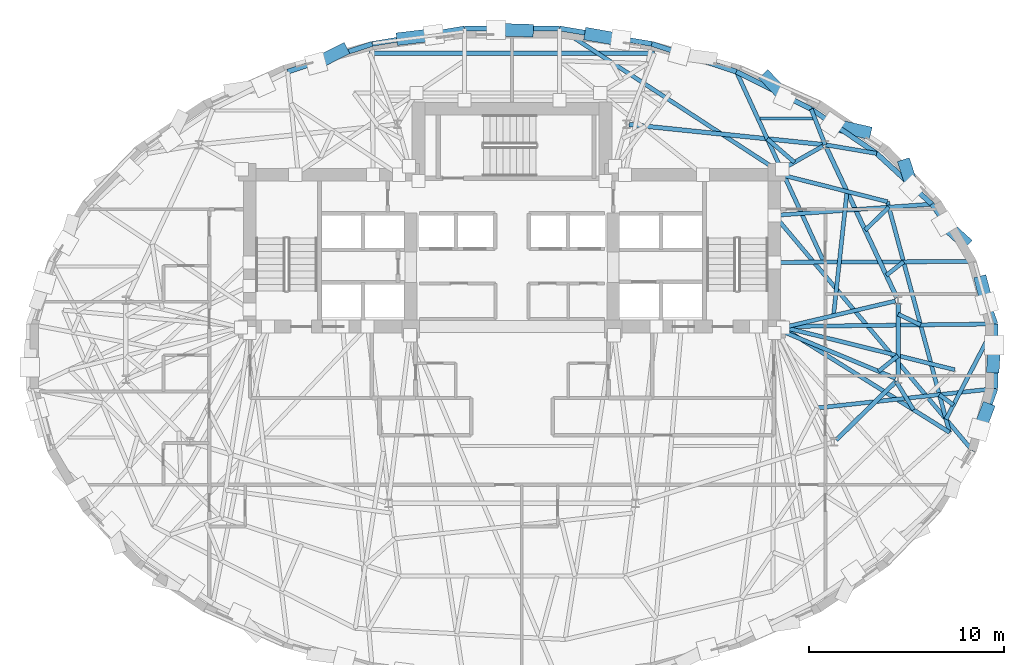
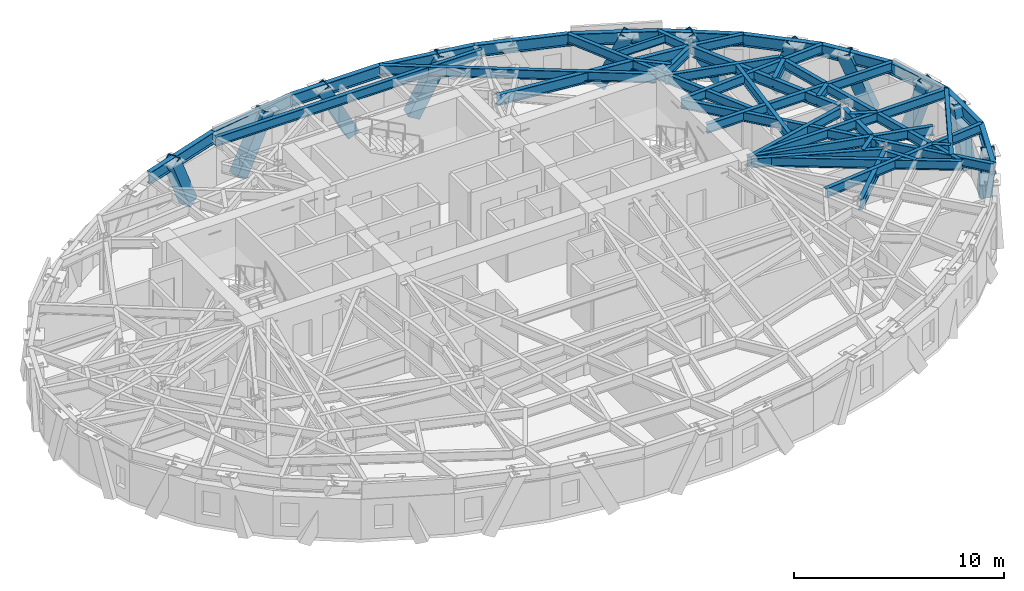
# One storey, part 4 of 14: 43 beams, 11 members.
"""IFC4 building model written with IfcOpenShell, lengths in metres."""

from ifc_helpers import new_model, si_unit, direction, frame, origin, origin_2d, place, context, subcontext, project, spatial, hollow_rectangle, i_section, extrude, material, material_profile, profile_set, type_object, element, save


model = new_model("IFC4")

# Units and contexts
model_context = context("Model", 3, precision=1e-05, world=origin(), true_north=direction((0.0, 1.0)))
body_context = subcontext(model_context, "Body", "Model", "MODEL_VIEW")
ifc_project = project(units=[si_unit("LENGTHUNIT", "METRE"), si_unit("AREAUNIT", "SQUARE_METRE"), si_unit("VOLUMEUNIT", "CUBIC_METRE"), si_unit("PLANEANGLEUNIT", "RADIAN"), si_unit("MASSUNIT", "GRAM", prefix="KILO")], contexts=[model_context])

# Site, building, storey
site_placement = place(None, origin())
site = spatial("IfcSite", under=ifc_project, at=site_placement, CompositionType="ELEMENT")
building_placement = place(site_placement, origin())
building = spatial("IfcBuilding", under=site, at=building_placement, Name="Keldmark Tower", CompositionType="ELEMENT")
storey_placement = place(building_placement, frame((0.0, 0.0, 169.39990234375)))
storey = spatial("IfcBuildingStorey", under=building, at=storey_placement, Name="L46", CompositionType="ELEMENT", Elevation=169.39990234375)

# Beam
ifc_material_1 = material(Name="Steel ASTM A992 Grade 50", Category="steel")
ifc_material_profile_1 = material_profile(ifc_material_1, i_section(OverallWidth=0.153076171875, OverallDepth=0.455078125, WebThickness=0.008056640625, FlangeThickness=0.01318359375, at=origin_2d()), Name="W18X40")
ifc_profile_set_1 = profile_set([ifc_material_profile_1], Name="Steel ASTM A992 Grade 50")
beam_type_1 = type_object("IfcBeamType", Name="Composite Floor Joist W18X40", PredefinedType="JOIST", material=ifc_profile_set_1)
beam_1_placement = place(storey_placement, frame((12.740478515625, 12.199951171875, 2.79248046875), z_axis=(1.0, 0.0, 0.0), x_axis=(0.0, 1.0, 0.0)))
element("IfcBeam", 1, at=beam_1_placement, inside=storey, type_object=beam_type_1, Name="L46 Composite Floor Joist J07", PredefinedType="JOIST", context=body_context, shape_type="SweptSolid", body=[
    extrude(i_section(OverallWidth=0.153076171875, OverallDepth=0.455078125, WebThickness=0.008056640625, FlangeThickness=0.01318359375, at=origin_2d()), origin(), (0.0, 0.0, 1.0), 2.71533203125),
])

# Members
ifc_material_2 = material(Name="Steel ASTM A572 Grade 50", Category="steel")
ifc_material_profile_2 = material_profile(ifc_material_2, hollow_rectangle(XDim=0.64990234375, YDim=0.64990234375, WallThickness=0.0400390625, at=origin_2d()), Name="BOX650X650X40")
ifc_profile_set_2 = profile_set([ifc_material_profile_2], Name="Steel ASTM A572 Grade 50")
member_type = type_object("IfcMemberType", Name="Diagrid Zone 3 Brace BOX650X650X40", PredefinedType="BRACE", material=ifc_profile_set_2)
member_1_placement = place(storey_placement, frame((24.10009765625, 3.815673828125, -0.260009765625), z_axis=(0.084672709517, -0.32596083449, 0.941583807551), x_axis=(0.967878242214, 0.251419387176, 0.0)))
element("IfcMember", 2, at=member_1_placement, inside=storey, type_object=member_type, Name="L46 Perimeter Diagrid Brace 01A", PredefinedType="BRACE", context=body_context, shape_type="SweptSolid", body=[
    extrude(hollow_rectangle(XDim=0.64990234375, YDim=0.64990234375, WallThickness=0.0400390625, at=origin_2d()), origin(), (0.0, 0.0, 1.0), 3.356201171875),
])
member_2_placement = place(storey_placement, frame((23.19287109375, 5.91455078125, -0.260009765625), z_axis=(-0.288196247163, 0.261796047732, 0.921089437847), x_axis=(-0.67239074194, -0.740196386207, 0.0)))
element("IfcMember", 3, at=member_2_placement, inside=storey, type_object=member_type, Name="L46 Perimeter Diagrid Brace 01B", PredefinedType="BRACE", context=body_context, shape_type="SweptSolid", body=[
    extrude(hollow_rectangle(XDim=0.64990234375, YDim=0.64990234375, WallThickness=0.0400390625, at=origin_2d()), origin(), (0.0, 0.0, 1.0), 3.430908203125),
])
member_3_placement = place(storey_placement, frame((20.192626953125, 9.8095703125, -0.260009765625), z_axis=(0.108959859918, -0.341878686878, 0.933405974046), x_axis=(0.952780507636, 0.303659849618, 0.0)))
element("IfcMember", 4, at=member_3_placement, inside=storey, type_object=member_type, Name="L46 Perimeter Diagrid Brace 02A", PredefinedType="BRACE", context=body_context, shape_type="SweptSolid", body=[
    extrude(hollow_rectangle(XDim=0.64990234375, YDim=0.64990234375, WallThickness=0.0400390625, at=origin_2d()), origin(), (0.0, 0.0, 1.0), 3.385498046875),
])
member_4_placement = place(storey_placement, frame((18.14697265625, 11.510498046875, -0.260009765625), z_axis=(-0.472598454602, 0.106846583258, 0.874776833457), x_axis=(-0.220517727779, -0.975382966703, 0.0)))
element("IfcMember", 5, at=member_4_placement, inside=storey, type_object=member_type, Name="L46 Perimeter Diagrid Brace 02B", PredefinedType="BRACE", context=body_context, shape_type="SweptSolid", body=[
    extrude(hollow_rectangle(XDim=0.64990234375, YDim=0.64990234375, WallThickness=0.0400390625, at=origin_2d()), origin(), (0.0, 0.0, 1.0), 3.612548828125),
])
member_5_placement = place(storey_placement, frame((13.10791015625, 14.28466796875, -0.260009765625), z_axis=(0.272820277452, -0.289477270229, 0.917481338356), x_axis=(0.727734237971, 0.685859226726, 0.0)))
element("IfcMember", 6, at=member_5_placement, inside=storey, type_object=member_type, Name="L46 Perimeter Diagrid Brace 03A", PredefinedType="BRACE", context=body_context, shape_type="SweptSolid", body=[
    extrude(hollow_rectangle(XDim=0.64990234375, YDim=0.64990234375, WallThickness=0.0400390625, at=origin_2d()), origin(), (0.0, 0.0, 1.0), 3.4443359375),
])
member_6_placement = place(storey_placement, frame((4.02099609375, 16.525390625, -0.260009765625), z_axis=(0.441922403437, -0.078083774143, 0.893648428385), x_axis=(0.173995960046, 0.984746366273, 0.0)))
element("IfcMember", 7, at=member_6_placement, inside=storey, type_object=member_type, Name="L46 Perimeter Diagrid Brace 04A", PredefinedType="BRACE", context=body_context, shape_type="SweptSolid", body=[
    extrude(hollow_rectangle(XDim=0.64990234375, YDim=0.64990234375, WallThickness=0.0400390625, at=origin_2d()), origin(), (0.0, 0.0, 1.0), 3.5361328125),
])
member_7_placement = place(storey_placement, frame((0.80712890625, 16.728515625, -0.260009765625), z_axis=(-0.458019972848, 0.012978377042, 0.888847155703), x_axis=(-0.028324463235, -0.999598781903, 0.0)))
element("IfcMember", 8, at=member_7_placement, inside=storey, type_object=member_type, Name="L46 Perimeter Diagrid Brace 04B", PredefinedType="BRACE", context=body_context, shape_type="SweptSolid", body=[
    extrude(hollow_rectangle(XDim=0.64990234375, YDim=0.64990234375, WallThickness=0.0400390625, at=origin_2d()), origin(), (0.0, 0.0, 1.0), 3.555419921875),
])
member_8_placement = place(storey_placement, frame((-5.6318359375, 16.3173828125, -0.260009765625), z_axis=(0.454228727365, 0.054408522697, 0.889222118424), x_axis=(-0.11893204744, 0.992902396055, 0.0)))
element("IfcMember", 9, at=member_8_placement, inside=storey, type_object=member_type, Name="L46 Perimeter Diagrid Brace 05A", PredefinedType="BRACE", context=body_context, shape_type="SweptSolid", body=[
    extrude(hollow_rectangle(XDim=0.64990234375, YDim=0.64990234375, WallThickness=0.0400390625, at=origin_2d()), origin(), (0.0, 0.0, 1.0), 3.553955078125),
])
member_9_placement = place(storey_placement, frame((-8.7333984375, 15.703125, -0.260009765625), z_axis=(-0.379419536926, -0.191807554329, 0.905124674894), x_axis=(0.451156655293, -0.892444772737, 0.0)))
element("IfcMember", 10, at=member_9_placement, inside=storey, type_object=member_type, Name="L46 Perimeter Diagrid Brace 05B", PredefinedType="BRACE", context=body_context, shape_type="SweptSolid", body=[
    extrude(hollow_rectangle(XDim=0.64990234375, YDim=0.64990234375, WallThickness=0.0400390625, at=origin_2d()), origin(), (0.0, 0.0, 1.0), 3.491455078125),
])
member_10_placement = place(storey_placement, frame((24.405517578125, -2.72021484375, -0.260009765625), z_axis=(-0.121565559508, -0.315474259992, 0.941115192749), x_axis=(0.933118171682, -0.3595698509, 0.0)))
element("IfcMember", 11, at=member_10_placement, inside=storey, type_object=member_type, Name="L46 Perimeter Diagrid Brace 16A", PredefinedType="BRACE", context=body_context, shape_type="SweptSolid", body=[
    extrude(hollow_rectangle(XDim=0.64990234375, YDim=0.64990234375, WallThickness=0.0400390625, at=origin_2d()), origin(), (0.0, 0.0, 1.0), 3.35791015625),
])
member_11_placement = place(storey_placement, frame((24.706298828125, -0.54541015625, -0.260009765625), z_axis=(0.020052637089, 0.329738272431, 0.943859398131), x_axis=(-0.998155954241, 0.060701655775, 0.0)))
element("IfcMember", 12, at=member_11_placement, inside=storey, type_object=member_type, Name="L46 Perimeter Diagrid Brace 16B", PredefinedType="BRACE", context=body_context, shape_type="SweptSolid", body=[
    extrude(hollow_rectangle(XDim=0.64990234375, YDim=0.64990234375, WallThickness=0.0400390625, at=origin_2d()), origin(), (0.0, 0.0, 1.0), 3.34814453125),
])

# Beams
ifc_material_3 = material(Name="Steel ASTM A992 Grade 50", Category="steel")
ifc_material_profile_3 = material_profile(ifc_material_3, i_section(OverallWidth=0.22900390625, OverallDepth=0.612060546875, WebThickness=0.011962890625, FlangeThickness=0.01953125, at=origin_2d()), Name="W24X84")
ifc_profile_set_3 = profile_set([ifc_material_profile_3], Name="Steel ASTM A992 Grade 50")
beam_type_2 = type_object("IfcBeamType", Name="Primary Floor Girder W24X84", PredefinedType="BEAM", material=ifc_profile_set_3)
beam_2_placement = place(storey_placement, frame((19.76904296875, 2.99609375, 2.714111328125), z_axis=(-0.424526823774, 0.905415360979, 0.0), x_axis=(-0.905415360979, -0.424526823774, 0.0)))
element("IfcBeam", 13, at=beam_2_placement, inside=storey, type_object=beam_type_2, Name="L46 Floor Ring Girder FG-R01", PredefinedType="BEAM", context=body_context, shape_type="SweptSolid", body=[
    extrude(i_section(OverallWidth=0.22900390625, OverallDepth=0.612060546875, WebThickness=0.011962890625, FlangeThickness=0.01953125, at=origin_2d()), origin(), (0.0, 0.0, 1.0), 8.54638671875),
])
beam_3_placement = place(storey_placement, frame((15.942138671875, 10.87548828125, 2.714111328125), z_axis=(-0.994702930931, 0.102791435423, 0.0), x_axis=(-0.102791435423, -0.994702930931, 0.0)))
element("IfcBeam", 14, at=beam_3_placement, inside=storey, type_object=beam_type_2, Name="L46 Floor Ring Girder FG-R02", PredefinedType="BEAM", context=body_context, shape_type="SweptSolid", body=[
    extrude(i_section(OverallWidth=0.22900390625, OverallDepth=0.612060546875, WebThickness=0.011962890625, FlangeThickness=0.01953125, at=origin_2d()), origin(), (0.0, 0.0, 1.0), 9.975341796875),
])
beam_4_placement = place(storey_placement, frame((16.646728515625, -4.300537109375, 2.714111328125), z_axis=(0.714964509815, 0.699160746684, 0.0), x_axis=(-0.699160746684, 0.714964509815, 0.0)))
element("IfcBeam", 15, at=beam_4_placement, inside=storey, type_object=beam_type_2, Name="L46 Floor Ring Girder FG-R11", PredefinedType="BEAM", context=body_context, shape_type="SweptSolid", body=[
    extrude(i_section(OverallWidth=0.22900390625, OverallDepth=0.612060546875, WebThickness=0.011962890625, FlangeThickness=0.01953125, at=origin_2d()), origin(), (0.0, 0.0, 1.0), 4.31005859375),
])
beam_5_placement = place(storey_placement, frame((19.828369140625, -1.04931640625, 2.714111328125), z_axis=(0.0, 1.0, 0.0), x_axis=(-1.0, 0.0, 0.0)))
element("IfcBeam", 16, at=beam_5_placement, inside=storey, type_object=beam_type_2, Name="L46 Floor Ring Girder FG-R12", PredefinedType="BEAM", context=body_context, shape_type="SweptSolid", body=[
    extrude(i_section(OverallWidth=0.22900390625, OverallDepth=0.612060546875, WebThickness=0.011962890625, FlangeThickness=0.01953125, at=origin_2d()), origin(), (0.0, 0.0, 1.0), 3.778564453125),
])
ifc_material_4 = material(Name="Steel ASTM A992 Grade 50", Category="steel")
ifc_material_profile_4 = material_profile(ifc_material_4, i_section(OverallWidth=0.2099609375, OverallDepth=0.537109375, WebThickness=0.010986328125, FlangeThickness=0.017333984375, at=origin_2d()), Name="W21X68")
ifc_profile_set_4 = profile_set([ifc_material_profile_4], Name="Steel ASTM A992 Grade 50")
beam_type_3 = type_object("IfcBeamType", Name="Radial Tie Girder W21X68", PredefinedType="BEAM", material=ifc_profile_set_4)
beam_6_placement = place(storey_placement, frame((19.692138671875, 2.837158203125, 2.751708984375), z_axis=(-0.973280062348, -0.229621253887, 0.0), x_axis=(0.229621253887, -0.973280062348, 0.0)))
element("IfcBeam", 17, at=beam_6_placement, inside=storey, type_object=beam_type_3, Name="L46 Floor Radial Girder FG-C01", PredefinedType="BEAM", context=body_context, shape_type="SweptSolid", body=[
    extrude(i_section(OverallWidth=0.2099609375, OverallDepth=0.537109375, WebThickness=0.010986328125, FlangeThickness=0.017333984375, at=origin_2d()), origin(), (0.0, 0.0, 1.0), 5.939208984375),
])
beam_7_placement = place(storey_placement, frame((15.959716796875, 10.791748046875, 2.751708984375), z_axis=(-0.86929527307, -0.494293160197, 0.0), x_axis=(0.494293160197, -0.86929527307, 0.0)))
element("IfcBeam", 18, at=beam_7_placement, inside=storey, type_object=beam_type_3, Name="L46 Floor Radial Girder FG-C02", PredefinedType="BEAM", context=body_context, shape_type="SweptSolid", body=[
    extrude(i_section(OverallWidth=0.2099609375, OverallDepth=0.537109375, WebThickness=0.010986328125, FlangeThickness=0.017333984375, at=origin_2d()), origin(), (0.0, 0.0, 1.0), 2.39453125),
])
beam_8_placement = place(storey_placement, frame((19.69921875, -1.135498046875, 2.751708984375), z_axis=(-0.923393794893, 0.383854008124, 0.0), x_axis=(-0.383854008124, -0.923393794893, 0.0)))
element("IfcBeam", 19, at=beam_8_placement, inside=storey, type_object=beam_type_3, Name="L46 Floor Radial Girder FG-C12", PredefinedType="BEAM", context=body_context, shape_type="SweptSolid", body=[
    extrude(i_section(OverallWidth=0.2099609375, OverallDepth=0.537109375, WebThickness=0.010986328125, FlangeThickness=0.017333984375, at=origin_2d()), origin(), (0.0, 0.0, 1.0), 6.28515625),
])
beam_9_placement = place(storey_placement, frame((18.82861328125, -0.773681640625, 2.751708984375), z_axis=(0.779659979742, 0.626203094841, 0.0), x_axis=(-0.626203094841, 0.779659979742, 0.0)))
element("IfcBeam", 20, at=beam_9_placement, inside=storey, type_object=beam_type_3, Name="L46 Framing Pin Header PH-008", PredefinedType="BEAM", context=body_context, shape_type="SweptSolid", body=[
    extrude(i_section(OverallWidth=0.2099609375, OverallDepth=0.537109375, WebThickness=0.010986328125, FlangeThickness=0.017333984375, at=origin_2d()), origin(), (0.0, 0.0, 1.0), 1.2822265625),
])
beam_10_placement = place(storey_placement, frame((13.800048828125, 1.52490234375, 2.751708984375), z_axis=(0.970574721471, -0.240800145436, 0.0), x_axis=(0.240800145436, 0.970574721471, 0.0)))
element("IfcBeam", 21, at=beam_10_placement, inside=storey, type_object=beam_type_3, Name="L46 Sub-Ring Step Girder STP1-M12", PredefinedType="BEAM", context=body_context, shape_type="SweptSolid", body=[
    extrude(i_section(OverallWidth=0.2099609375, OverallDepth=0.537109375, WebThickness=0.010986328125, FlangeThickness=0.017333984375, at=origin_2d()), origin(), (0.0, 0.0, 1.0), 9.203857421875),
])
beam_11_placement = place(storey_placement, frame((16.5126953125, 2.087158203125, 2.751708984375), z_axis=(0.108074720844, 0.994142773808, 0.0), x_axis=(-0.994142773808, 0.108074720844, 0.0)))
element("IfcBeam", 22, at=beam_11_placement, inside=storey, type_object=beam_type_3, Name="L46 Framing Pin Header PH-009", PredefinedType="BEAM", context=body_context, shape_type="SweptSolid", body=[
    extrude(i_section(OverallWidth=0.2099609375, OverallDepth=0.537109375, WebThickness=0.010986328125, FlangeThickness=0.017333984375, at=origin_2d()), origin(), (0.0, 0.0, 1.0), 6.413330078125),
])
beam_12_placement = place(storey_placement, frame((13.800048828125, 9.324951171875, 2.751708984375), z_axis=(0.969434584053, -0.245349928148, 0.0), x_axis=(0.245349928148, 0.969434584053, 0.0)))
element("IfcBeam", 23, at=beam_12_placement, inside=storey, type_object=beam_type_3, Name="L46 Sub-Ring Step Girder STP2-M01", PredefinedType="BEAM", context=body_context, shape_type="SweptSolid", body=[
    extrude(i_section(OverallWidth=0.2099609375, OverallDepth=0.537109375, WebThickness=0.010986328125, FlangeThickness=0.017333984375, at=origin_2d()), origin(), (0.0, 0.0, 1.0), 5.652099609375),
])
beam_13_placement = place(storey_placement, frame((19.728271484375, -1.287109375, 2.751708984375), z_axis=(0.52159979904, -0.853190277512, 0.0), x_axis=(0.853190277512, 0.52159979904, 0.0)))
element("IfcBeam", 24, at=beam_13_placement, inside=storey, type_object=beam_type_3, Name="L46 Framing Pin Header PH-015", PredefinedType="BEAM", context=body_context, shape_type="SweptSolid", body=[
    extrude(i_section(OverallWidth=0.2099609375, OverallDepth=0.537109375, WebThickness=0.010986328125, FlangeThickness=0.017333984375, at=origin_2d()), origin(), (0.0, 0.0, 1.0), 1.714111328125),
])
beam_14_placement = place(storey_placement, frame((13.800048828125, 1.52490234375, 2.751708984375), z_axis=(0.84741606795, -0.530929381161, 0.0), x_axis=(0.530929381161, 0.84741606795, 0.0)))
element("IfcBeam", 25, at=beam_14_placement, inside=storey, type_object=beam_type_3, Name="L46 Sub-Ring Step Girder STP2-M12", PredefinedType="BEAM", context=body_context, shape_type="SweptSolid", body=[
    extrude(i_section(OverallWidth=0.2099609375, OverallDepth=0.537109375, WebThickness=0.010986328125, FlangeThickness=0.017333984375, at=origin_2d()), origin(), (0.0, 0.0, 1.0), 10.232666015625),
])
beam_15_placement = place(storey_placement, frame((22.471435546875, -3.907958984375, 2.751708984375), z_axis=(-0.260184702828, 0.965558864293, 0.0), x_axis=(-0.965558864293, -0.260184702828, 0.0)))
element("IfcBeam", 26, at=beam_15_placement, inside=storey, type_object=beam_type_3, Name="L46 Perimeter Collector Ring Beam CRG2-M12", PredefinedType="BEAM", context=body_context, shape_type="SweptSolid", body=[
    extrude(i_section(OverallWidth=0.2099609375, OverallDepth=0.537109375, WebThickness=0.010986328125, FlangeThickness=0.017333984375, at=origin_2d()), origin(), (0.0, 0.0, 1.0), 12.268798828125),
])
beam_16_placement = place(storey_placement, frame((19.828369140625, 2.162353515625, 2.751708984375), z_axis=(0.902698286029, -0.430274103799, 0.0), x_axis=(0.430274103799, 0.902698286029, 0.0)))
element("IfcBeam", 27, at=beam_16_placement, inside=storey, type_object=beam_type_3, Name="L46 Framing Pin Header PH-016", PredefinedType="BEAM", context=body_context, shape_type="SweptSolid", body=[
    extrude(i_section(OverallWidth=0.2099609375, OverallDepth=0.537109375, WebThickness=0.010986328125, FlangeThickness=0.017333984375, at=origin_2d()), origin(), (0.0, 0.0, 1.0), 1.280029296875),
])
beam_17_placement = place(storey_placement, frame((13.800048828125, 1.52490234375, 2.751708984375), z_axis=(0.999927290272, 0.012058779722, 0.0), x_axis=(-0.012058779722, 0.999927290272, 0.0)))
element("IfcBeam", 28, at=beam_17_placement, inside=storey, type_object=beam_type_3, Name="L46 Perimeter Radial Tie Girder RT-01", PredefinedType="BEAM", context=body_context, shape_type="SweptSolid", body=[
    extrude(i_section(OverallWidth=0.2099609375, OverallDepth=0.537109375, WebThickness=0.010986328125, FlangeThickness=0.017333984375, at=origin_2d()), origin(), (0.0, 0.0, 1.0), 11.033935546875),
])
beam_18_placement = place(storey_placement, frame((19.224853515625, 4.15673828125, 2.751708984375), z_axis=(0.78728069367, 0.616594769175, 0.0), x_axis=(-0.616594769175, 0.78728069367, 0.0)))
element("IfcBeam", 29, at=beam_18_placement, inside=storey, type_object=beam_type_3, Name="L46 Framing Pin Header PH-017", PredefinedType="BEAM", context=body_context, shape_type="SweptSolid", body=[
    extrude(i_section(OverallWidth=0.2099609375, OverallDepth=0.537109375, WebThickness=0.010986328125, FlangeThickness=0.017333984375, at=origin_2d()), origin(), (0.0, 0.0, 1.0), 1.125732421875),
])
beam_19_placement = place(storey_placement, frame((13.47509765625, 4.8212890625, 2.751708984375), z_axis=(0.999990177949, 0.004432155796, 0.0), x_axis=(-0.004432155796, 0.999990177949, 0.0)))
element("IfcBeam", 30, at=beam_19_placement, inside=storey, type_object=beam_type_3, Name="L46 Perimeter Radial Tie Girder RT-02", PredefinedType="BEAM", context=body_context, shape_type="SweptSolid", body=[
    extrude(i_section(OverallWidth=0.2099609375, OverallDepth=0.537109375, WebThickness=0.010986328125, FlangeThickness=0.017333984375, at=origin_2d()), origin(), (0.0, 0.0, 1.0), 10.1904296875),
])
beam_20_placement = place(storey_placement, frame((18.136474609375, 6.478271484375, 2.751708984375), z_axis=(0.719602540541, 0.694386192004, 0.0), x_axis=(-0.694386192004, 0.719602540541, 0.0)))
element("IfcBeam", 31, at=beam_20_placement, inside=storey, type_object=beam_type_3, Name="L46 Framing Pin Header PH-018", PredefinedType="BEAM", context=body_context, shape_type="SweptSolid", body=[
    extrude(i_section(OverallWidth=0.2099609375, OverallDepth=0.537109375, WebThickness=0.010986328125, FlangeThickness=0.017333984375, at=origin_2d()), origin(), (0.0, 0.0, 1.0), 1.6943359375),
])
beam_21_placement = place(storey_placement, frame((13.47509765625, 7.235595703125, 2.751708984375), z_axis=(0.997467713487, 0.071120746279, 0.0), x_axis=(-0.071120746279, 0.997467713487, 0.0)))
element("IfcBeam", 32, at=beam_21_placement, inside=storey, type_object=beam_type_3, Name="L46 Perimeter Radial Tie Girder RT-03", PredefinedType="BEAM", context=body_context, shape_type="SweptSolid", body=[
    extrude(i_section(OverallWidth=0.2099609375, OverallDepth=0.537109375, WebThickness=0.010986328125, FlangeThickness=0.017333984375, at=origin_2d()), origin(), (0.0, 0.0, 1.0), 8.104736328125),
])
beam_22_placement = place(storey_placement, frame((16.08154296875, 10.861083984375, 2.751708984375), z_axis=(0.986191294506, -0.165610176742, 0.0), x_axis=(0.165610176742, 0.986191294506, 0.0)))
element("IfcBeam", 33, at=beam_22_placement, inside=storey, type_object=beam_type_3, Name="L46 Perimeter Column Bracket RT-04", PredefinedType="BEAM", context=body_context, shape_type="SweptSolid", body=[
    extrude(i_section(OverallWidth=0.2099609375, OverallDepth=0.537109375, WebThickness=0.010986328125, FlangeThickness=0.017333984375, at=origin_2d()), origin(), (0.0, 0.0, 1.0), 2.68017578125),
])
beam_23_placement = place(storey_placement, frame((16.08154296875, 10.861083984375, 2.751708984375), z_axis=(-0.363350663933, 0.931652453987, 0.0), x_axis=(-0.931652453987, -0.363350663933, 0.0)))
element("IfcBeam", 34, at=beam_23_placement, inside=storey, type_object=beam_type_3, Name="L46 Perimeter Column Bracket RT-05", PredefinedType="BEAM", context=body_context, shape_type="SweptSolid", body=[
    extrude(i_section(OverallWidth=0.2099609375, OverallDepth=0.537109375, WebThickness=0.010986328125, FlangeThickness=0.017333984375, at=origin_2d()), origin(), (0.0, 0.0, 1.0), 1.966796875),
])
beam_24_placement = place(storey_placement, frame((14.502685546875, 9.96337890625, 2.751708984375), z_axis=(-0.756527947674, 0.65396136307, 0.0), x_axis=(-0.65396136307, -0.756527947674, 0.0)))
element("IfcBeam", 35, at=beam_24_placement, inside=storey, type_object=beam_type_3, Name="L46 Framing Pin Header PH-019", PredefinedType="BEAM", context=body_context, shape_type="SweptSolid", body=[
    extrude(i_section(OverallWidth=0.2099609375, OverallDepth=0.537109375, WebThickness=0.010986328125, FlangeThickness=0.017333984375, at=origin_2d()), origin(), (0.0, 0.0, 1.0), 1.84228515625),
])
beam_25_placement = place(storey_placement, frame((16.022705078125, 4.832763671875, 2.751708984375), z_axis=(-0.417844223901, 0.908518686958, 0.0), x_axis=(-0.908518686958, -0.417844223901, 0.0)))
element("IfcBeam", 36, at=beam_25_placement, inside=storey, type_object=beam_type_3, Name="L46 Perimeter Radial Tie Girder RT-06", PredefinedType="BEAM", context=body_context, shape_type="SweptSolid", body=[
    extrude(i_section(OverallWidth=0.2099609375, OverallDepth=0.537109375, WebThickness=0.010986328125, FlangeThickness=0.017333984375, at=origin_2d()), origin(), (0.0, 0.0, 1.0), 10.767333984375),
])
beam_26_placement = place(storey_placement, frame((13.47509765625, 9.64990234375, 2.751708984375), z_axis=(-0.837912668902, 0.545804323264, 0.0), x_axis=(-0.545804323264, -0.837912668902, 0.0)))
element("IfcBeam", 37, at=beam_26_placement, inside=storey, type_object=beam_type_3, Name="L46 Perimeter Radial Tie Girder RT-08", PredefinedType="BEAM", context=body_context, shape_type="SweptSolid", body=[
    extrude(i_section(OverallWidth=0.2099609375, OverallDepth=0.537109375, WebThickness=0.010986328125, FlangeThickness=0.017333984375, at=origin_2d()), origin(), (0.0, 0.0, 1.0), 13.162841796875),
])
beam_27_placement = place(storey_placement, frame((24.833251953125, 1.657958984375, 2.751708984375), z_axis=(-0.461524262501, -0.887127586722, 0.0), x_axis=(0.887127586722, -0.461524262501, 0.0)))
element("IfcBeam", 38, at=beam_27_placement, inside=storey, type_object=beam_type_3, Name="L46 Framing Pin Header PH-043", PredefinedType="BEAM", context=body_context, shape_type="SweptSolid", body=[
    extrude(i_section(OverallWidth=0.2099609375, OverallDepth=0.537109375, WebThickness=0.010986328125, FlangeThickness=0.017333984375, at=origin_2d()), origin(), (0.0, 0.0, 1.0), 5.511962890625),
])
beam_28_placement = place(storey_placement, frame((13.47509765625, 7.235595703125, 2.751708984375), z_axis=(0.644107233484, -0.764935207566, 0.0), x_axis=(0.764935207566, 0.644107233484, 0.0)))
element("IfcBeam", 39, at=beam_28_placement, inside=storey, type_object=beam_type_3, Name="L46 Perimeter Radial Tie Girder RT-31", PredefinedType="BEAM", context=body_context, shape_type="SweptSolid", body=[
    extrude(i_section(OverallWidth=0.2099609375, OverallDepth=0.537109375, WebThickness=0.010986328125, FlangeThickness=0.017333984375, at=origin_2d()), origin(), (0.0, 0.0, 1.0), 15.821044921875),
])
beam_29_placement = place(storey_placement, frame((22.6708984375, -2.498291015625, 2.751708984375), z_axis=(-0.807871890479, 0.589358132695, 0.0), x_axis=(-0.589358132695, -0.807871890479, 0.0)))
element("IfcBeam", 40, at=beam_29_placement, inside=storey, type_object=beam_type_3, Name="L46 Framing Pin Header PH-044", PredefinedType="BEAM", context=body_context, shape_type="SweptSolid", body=[
    extrude(i_section(OverallWidth=0.2099609375, OverallDepth=0.537109375, WebThickness=0.010986328125, FlangeThickness=0.017333984375, at=origin_2d()), origin(), (0.0, 0.0, 1.0), 0.892822265625),
])
beam_30_placement = place(storey_placement, frame((15.661865234375, -2.6572265625, 2.751708984375), z_axis=(0.994116743572, 0.108313896381, 0.0), x_axis=(-0.108313896381, 0.994116743572, 0.0)))
element("IfcBeam", 41, at=beam_30_placement, inside=storey, type_object=beam_type_3, Name="L46 Perimeter Radial Tie Girder RT-32", PredefinedType="BEAM", context=body_context, shape_type="SweptSolid", body=[
    extrude(i_section(OverallWidth=0.2099609375, OverallDepth=0.537109375, WebThickness=0.010986328125, FlangeThickness=0.017333984375, at=origin_2d()), origin(), (0.0, 0.0, 1.0), 9.2255859375),
])
beam_31_placement = place(storey_placement, frame((-7.31884765625, 15.561767578125, 2.751708984375), z_axis=(1.0, 0.0, 0.0), x_axis=(0.0, 1.0, 0.0)))
element("IfcBeam", 42, at=beam_31_placement, inside=storey, type_object=beam_type_3, Name="L46 North Outer Header Girder FG-TCN-H1", PredefinedType="BEAM", context=body_context, shape_type="SweptSolid", body=[
    extrude(i_section(OverallWidth=0.2099609375, OverallDepth=0.537109375, WebThickness=0.010986328125, FlangeThickness=0.017333984375, at=origin_2d()), origin(), (0.0, 0.0, 1.0), 14.6376953125),
])
ifc_material_5 = material(Name="Steel ASTM A992 Grade 50", Category="steel")
ifc_material_profile_5 = material_profile(ifc_material_5, i_section(OverallWidth=0.256103515625, OverallDepth=0.693115234375, WebThickness=0.014404296875, FlangeThickness=0.023681640625, at=origin_2d()), Name="W27X114")
ifc_profile_set_5 = profile_set([ifc_material_profile_5], Name="Steel ASTM A992 Grade 50")
beam_type_4 = type_object("IfcBeamType", Name="Spandrel Ring Beam W27X114", PredefinedType="SPANDREL", material=ifc_profile_set_5)
beam_32_placement = place(storey_placement, frame((24.833251953125, 1.657958984375, 2.673583984375), z_axis=(-0.342001402358, 0.939699441729, 0.0), x_axis=(-0.939699441729, -0.342001402358, 0.0)))
element("IfcBeam", 43, at=beam_32_placement, inside=storey, type_object=beam_type_4, Name="L46 Perimeter Spandrel Ring Beam SRB-01", PredefinedType="SPANDREL", context=body_context, shape_type="SweptSolid", body=[
    extrude(i_section(OverallWidth=0.256103515625, OverallDepth=0.693115234375, WebThickness=0.014404296875, FlangeThickness=0.023681640625, at=origin_2d()), origin(), (0.0, 0.0, 1.0), 3.414306640625),
])
beam_33_placement = place(storey_placement, frame((23.66552734375, 4.866455078125, 2.673583984375), z_axis=(-0.581646294714, 0.813441815894, 0.0), x_axis=(-0.813441815894, -0.581646294714, 0.0)))
element("IfcBeam", 44, at=beam_33_placement, inside=storey, type_object=beam_type_4, Name="L46 Perimeter Spandrel Ring Beam SRB-02", PredefinedType="SPANDREL", context=body_context, shape_type="SweptSolid", body=[
    extrude(i_section(OverallWidth=0.256103515625, OverallDepth=0.693115234375, WebThickness=0.014404296875, FlangeThickness=0.023681640625, at=origin_2d()), origin(), (0.0, 0.0, 1.0), 3.62109375),
])
beam_34_placement = place(storey_placement, frame((21.559326171875, 7.81201171875, 2.673583984375), z_axis=(-0.736282263947, 0.676674536093, 0.0), x_axis=(-0.676674536093, -0.736282263947, 0.0)))
element("IfcBeam", 45, at=beam_34_placement, inside=storey, type_object=beam_type_4, Name="L46 Perimeter Spandrel Ring Beam SRB-03", PredefinedType="SPANDREL", context=body_context, shape_type="SweptSolid", body=[
    extrude(i_section(OverallWidth=0.256103515625, OverallDepth=0.693115234375, WebThickness=0.014404296875, FlangeThickness=0.023681640625, at=origin_2d()), origin(), (0.0, 0.0, 1.0), 3.85009765625),
])
beam_35_placement = place(storey_placement, frame((18.724609375, 10.417236328125, 2.673583984375), z_axis=(-0.827738347215, 0.561114274056, 0.0), x_axis=(-0.561114274056, -0.827738347215, 0.0)))
element("IfcBeam", 46, at=beam_35_placement, inside=storey, type_object=beam_type_4, Name="L46 Perimeter Spandrel Ring Beam SRB-04", PredefinedType="SPANDREL", context=body_context, shape_type="SweptSolid", body=[
    extrude(i_section(OverallWidth=0.256103515625, OverallDepth=0.693115234375, WebThickness=0.014404296875, FlangeThickness=0.023681640625, at=origin_2d()), origin(), (0.0, 0.0, 1.0), 4.056396484375),
])
beam_36_placement = place(storey_placement, frame((15.366943359375, 12.693359375, 2.673583984375), z_axis=(-0.894427191, 0.4472135955, 0.0), x_axis=(-0.4472135955, -0.894427191, 0.0)))
element("IfcBeam", 47, at=beam_36_placement, inside=storey, type_object=beam_type_4, Name="L46 Perimeter Spandrel Ring Beam SRB-05", PredefinedType="SPANDREL", context=body_context, shape_type="SweptSolid", body=[
    extrude(i_section(OverallWidth=0.256103515625, OverallDepth=0.693115234375, WebThickness=0.014404296875, FlangeThickness=0.023681640625, at=origin_2d()), origin(), (0.0, 0.0, 1.0), 4.296875),
])
beam_37_placement = place(storey_placement, frame((11.523681640625, 14.614990234375, 2.673583984375), z_axis=(-0.950019987977, 0.312189081237, 0.0), x_axis=(-0.312189081237, -0.950019987977, 0.0)))
element("IfcBeam", 48, at=beam_37_placement, inside=storey, type_object=beam_type_4, Name="L46 Perimeter Spandrel Ring Beam SRB-06", PredefinedType="SPANDREL", context=body_context, shape_type="SweptSolid", body=[
    extrude(i_section(OverallWidth=0.256103515625, OverallDepth=0.693115234375, WebThickness=0.014404296875, FlangeThickness=0.023681640625, at=origin_2d()), origin(), (0.0, 0.0, 1.0), 4.5732421875),
])
beam_38_placement = place(storey_placement, frame((7.178955078125, 16.042724609375, 2.673583984375), z_axis=(-0.986304403905, 0.164935207998, 0.0), x_axis=(-0.164935207998, -0.986304403905, 0.0)))
element("IfcBeam", 49, at=beam_38_placement, inside=storey, type_object=beam_type_4, Name="L46 Perimeter Spandrel Ring Beam SRB-07", PredefinedType="SPANDREL", context=body_context, shape_type="SweptSolid", body=[
    extrude(i_section(OverallWidth=0.256103515625, OverallDepth=0.693115234375, WebThickness=0.014404296875, FlangeThickness=0.023681640625, at=origin_2d()), origin(), (0.0, 0.0, 1.0), 4.798828125),
])
beam_39_placement = place(storey_placement, frame((2.44580078125, 16.834228515625, 2.673583984375), z_axis=(-1.0, 0.0, 0.0), x_axis=(0.0, -1.0, 0.0)))
element("IfcBeam", 50, at=beam_39_placement, inside=storey, type_object=beam_type_4, Name="L46 Perimeter Spandrel Ring Beam SRB-08", PredefinedType="SPANDREL", context=body_context, shape_type="SweptSolid", body=[
    extrude(i_section(OverallWidth=0.256103515625, OverallDepth=0.693115234375, WebThickness=0.014404296875, FlangeThickness=0.023681640625, at=origin_2d()), origin(), (0.0, 0.0, 1.0), 4.8916015625),
])
beam_40_placement = place(storey_placement, frame((-2.44580078125, 16.834228515625, 2.673583984375), z_axis=(-0.986304403905, -0.164935207998, 0.0), x_axis=(0.164935207998, -0.986304403905, 0.0)))
element("IfcBeam", 51, at=beam_40_placement, inside=storey, type_object=beam_type_4, Name="L46 Perimeter Spandrel Ring Beam SRB-09", PredefinedType="SPANDREL", context=body_context, shape_type="SweptSolid", body=[
    extrude(i_section(OverallWidth=0.256103515625, OverallDepth=0.693115234375, WebThickness=0.014404296875, FlangeThickness=0.023681640625, at=origin_2d()), origin(), (0.0, 0.0, 1.0), 4.798828125),
])
beam_41_placement = place(storey_placement, frame((-7.178955078125, 16.042724609375, 2.673583984375), z_axis=(-0.950019987977, -0.312189081237, 0.0), x_axis=(0.312189081237, -0.950019987977, 0.0)))
element("IfcBeam", 52, at=beam_41_placement, inside=storey, type_object=beam_type_4, Name="L46 Perimeter Spandrel Ring Beam SRB-10", PredefinedType="SPANDREL", context=body_context, shape_type="SweptSolid", body=[
    extrude(i_section(OverallWidth=0.256103515625, OverallDepth=0.693115234375, WebThickness=0.014404296875, FlangeThickness=0.023681640625, at=origin_2d()), origin(), (0.0, 0.0, 1.0), 4.5732421875),
])
beam_42_placement = place(storey_placement, frame((23.66552734375, -4.866455078125, 2.673583984375), z_axis=(0.342001402358, 0.939699441729, 0.0), x_axis=(-0.939699441729, 0.342001402358, 0.0)))
element("IfcBeam", 53, at=beam_42_placement, inside=storey, type_object=beam_type_4, Name="L46 Perimeter Spandrel Ring Beam SRB-31", PredefinedType="SPANDREL", context=body_context, shape_type="SweptSolid", body=[
    extrude(i_section(OverallWidth=0.256103515625, OverallDepth=0.693115234375, WebThickness=0.014404296875, FlangeThickness=0.023681640625, at=origin_2d()), origin(), (0.0, 0.0, 1.0), 3.414306640625),
])
beam_43_placement = place(storey_placement, frame((24.833251953125, -1.657958984375, 2.673583984375), z_axis=(0.0, 1.0, 0.0), x_axis=(-1.0, 0.0, 0.0)))
element("IfcBeam", 54, at=beam_43_placement, inside=storey, type_object=beam_type_4, Name="L46 Perimeter Spandrel Ring Beam SRB-32", PredefinedType="SPANDREL", context=body_context, shape_type="SweptSolid", body=[
    extrude(i_section(OverallWidth=0.256103515625, OverallDepth=0.693115234375, WebThickness=0.014404296875, FlangeThickness=0.023681640625, at=origin_2d()), origin(), (0.0, 0.0, 1.0), 3.31591796875),
])

save(model, "model.ifc")
